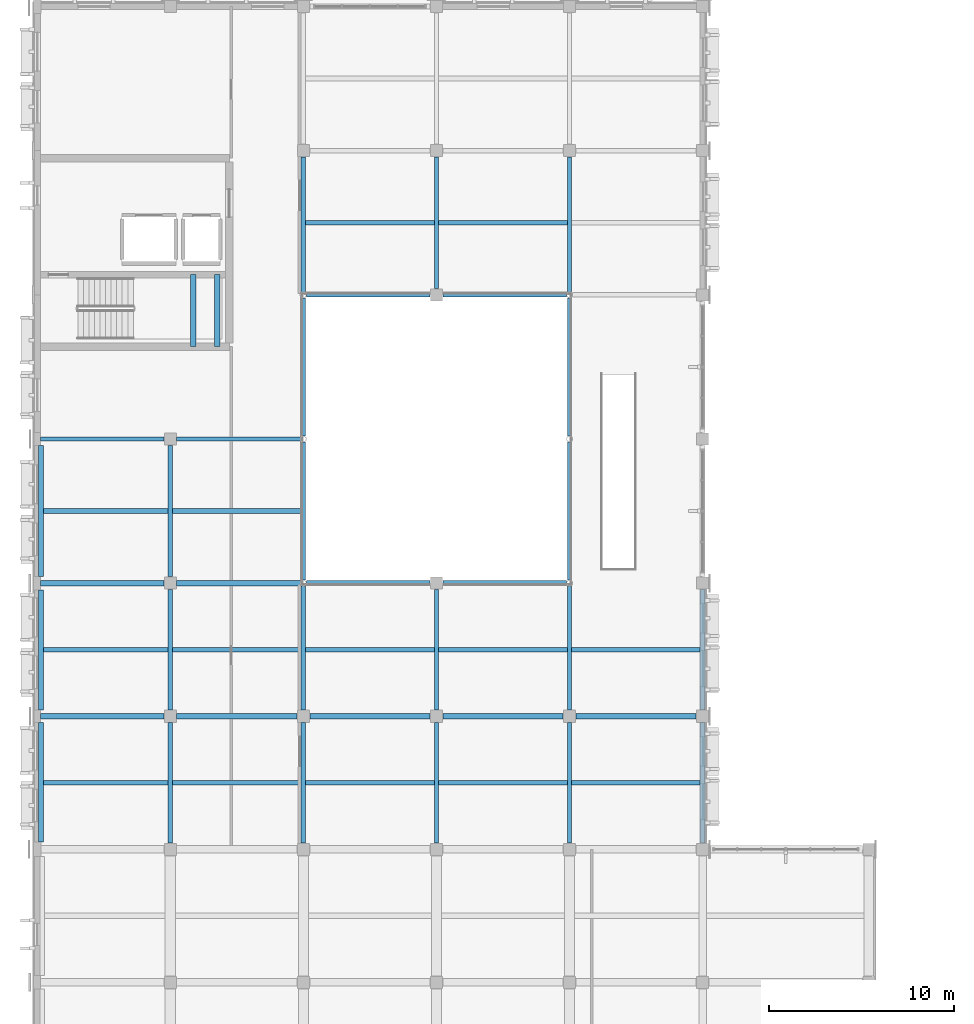
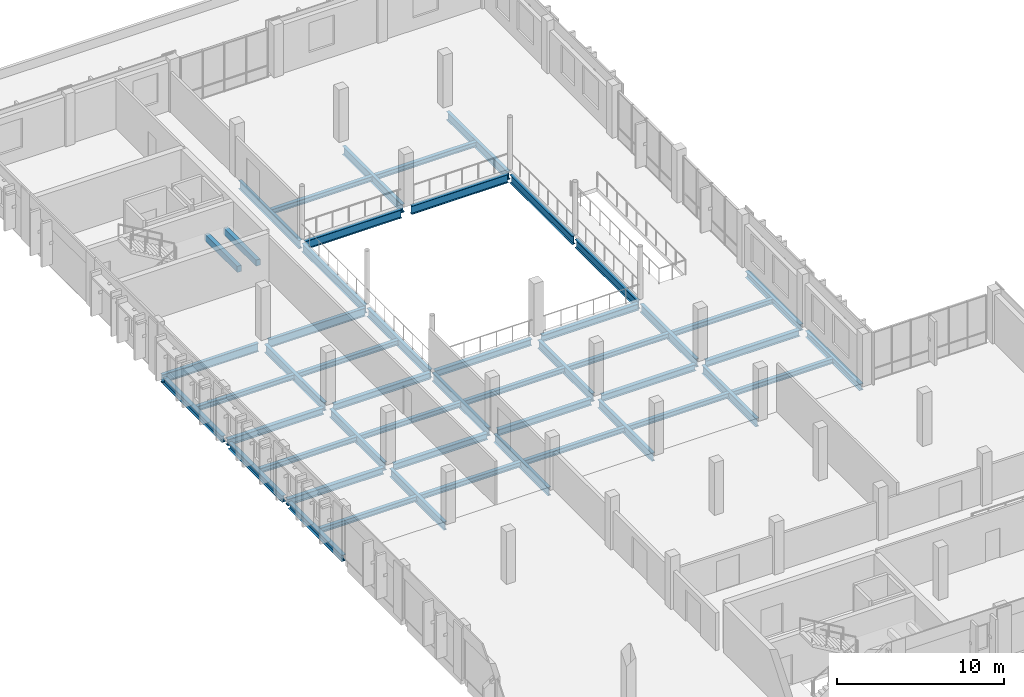
# One storey, part 16 of 85: 50 beams.
"""IFC4 building model written with IfcOpenShell, lengths in metres."""

from ifc_helpers import new_model, si_unit, direction, frame, origin, origin_2d, place, context, subcontext, project, spatial, rectangle, i_section, extrude, material, material_profile, profile_set, type_object, element, save


model = new_model("IFC4")

# Units and contexts
model_context = context("Model", 3, precision=1e-05, world=origin(), true_north=direction((0.0, 1.0)))
body_context = subcontext(model_context, "Body", "Model", "MODEL_VIEW")
ifc_project = project(units=[si_unit("LENGTHUNIT", "METRE"), si_unit("AREAUNIT", "SQUARE_METRE"), si_unit("VOLUMEUNIT", "CUBIC_METRE"), si_unit("PLANEANGLEUNIT", "RADIAN"), si_unit("MASSUNIT", "GRAM", prefix="KILO")], contexts=[model_context])

# Site, building, storey
site_placement = place(None, origin())
site = spatial("IfcSite", under=ifc_project, at=site_placement, CompositionType="ELEMENT")
building_placement = place(site_placement, origin())
building = spatial("IfcBuilding", under=site, at=building_placement, Name="Vervanel Yard Central Library", CompositionType="ELEMENT")
storey_placement = place(building_placement, frame((0.0, 0.0, 5.10009765625)))
storey = spatial("IfcBuildingStorey", under=building, at=storey_placement, Name="L01", CompositionType="ELEMENT", Elevation=5.10009765625)

# Beams
ifc_material_1 = material(Name="Concrete C40/50", Category="concrete")
ifc_material_profile_1 = material_profile(ifc_material_1, rectangle(XDim=0.300048828125, YDim=0.449951171875, at=origin_2d()), Name="RC 300x450", Category="concrete")
ifc_profile_set_1 = profile_set([ifc_material_profile_1], Name="Concrete C40/50")
beam_type_1 = type_object("IfcBeamType", Name="Concrete Opening Lintel 300x450", PredefinedType="LINTEL", material=ifc_profile_set_1)
for number, where, z_axis, x_axis, name in (
    (1, (8.449951171875, 56.0, 1.494873046875), (0.0, 1.0, 0.0), (-1.0, 0.0, 0.0), "L01 CORE-C Stair Landing Beam 23"),
    (2, (9.75, 56.0, 1.494873046875), (0.0, 1.0, 0.0), (-1.0, 0.0, 0.0), "L01 CORE-C Stair Landing Beam 24"),
):
    element("IfcBeam", number, at=place(storey_placement, frame(where, z_axis=z_axis, x_axis=x_axis)), inside=storey, type_object=beam_type_1, Name=name, PredefinedType="LINTEL", context=body_context, shape_type="SweptSolid", body=[
        extrude(rectangle(XDim=0.300048828125, YDim=0.449951171875, at=origin_2d()), origin(), (0.0, 0.0, 1.0), 3.89501953125),
    ])
ifc_material_2 = material(Name="Steel ASTM A992 Grade 50", Category="steel")
ifc_material_profile_2 = material_profile(ifc_material_2, i_section(OverallWidth=0.25390625, OverallDepth=0.355712890625, WebThickness=0.010498046875, FlangeThickness=0.018310546875, at=origin_2d()), Name="W14X68", Category="steel")
ifc_profile_set_2 = profile_set([ifc_material_profile_2], Name="Steel ASTM A992 Grade 50")
beam_type_2 = type_object("IfcBeamType", Name="Steel Atrium Edge Joist W14X68", PredefinedType="JOIST", material=ifc_profile_set_2)
for number, where, z_axis, x_axis, name in (
    (3, (0.341064453125, 32.39990234375, -0.462890625), (1.0, 0.0, 0.0), (0.0, 1.0, 0.0), "L01 Floor Joist SJ-06 Y=32.40 X=0.0-7.2"),
    (4, (0.341064453125, 39.60009765625, -0.462890625), (1.0, 0.0, 0.0), (0.0, 1.0, 0.0), "L01 Floor Joist SJ-06 Y=39.60 X=0.0-7.2"),
    (5, (0.341064453125, 47.10009765625, -0.462890625), (1.0, 0.0, 0.0), (0.0, 1.0, 0.0), "L01 Floor Joist SJ-06 Y=47.10 X=0.0-7.2"),
):
    element("IfcBeam", number, at=place(storey_placement, frame(where, z_axis=z_axis, x_axis=x_axis)), inside=storey, type_object=beam_type_2, Name=name, PredefinedType="JOIST", context=body_context, shape_type="SweptSolid", body=[
        extrude(i_section(OverallWidth=0.25390625, OverallDepth=0.355712890625, WebThickness=0.010498046875, FlangeThickness=0.018310546875, at=origin_2d()), origin(), (0.0, 0.0, 1.0), 6.744384765625),
    ])
for number, where, z_axis, x_axis, name in (
    (6, (7.314697265625, 32.39990234375, -0.462890625), (1.0, 0.0, 0.0), (0.0, 1.0, 0.0), "L01 Floor Joist SJ-06 Y=32.40 X=7.2-14.4"),
    (7, (7.314697265625, 39.60009765625, -0.462890625), (1.0, 0.0, 0.0), (0.0, 1.0, 0.0), "L01 Floor Joist SJ-06 Y=39.60 X=7.2-14.4"),
    (8, (7.314697265625, 47.10009765625, -0.462890625), (1.0, 0.0, 0.0), (0.0, 1.0, 0.0), "L01 Floor Joist SJ-06 Y=47.10 X=7.2-14.4"),
    (9, (14.5146484375, 32.39990234375, -0.462890625), (1.0, 0.0, 0.0), (0.0, 1.0, 0.0), "L01 Floor Joist SJ-06 Y=32.40 X=14.4-21.6"),
    (10, (14.5146484375, 39.60009765625, -0.462890625), (1.0, 0.0, 0.0), (0.0, 1.0, 0.0), "L01 Floor Joist SJ-06 Y=39.60 X=14.4-21.6"),
    (11, (14.5146484375, 62.699951171875, -0.462890625), (1.0, 0.0, 0.0), (0.0, 1.0, 0.0), "L01 Floor Joist SJ-06 Y=62.70 X=14.4-21.6"),
    (12, (21.714599609375, 32.39990234375, -0.462890625), (1.0, 0.0, 0.0), (0.0, 1.0, 0.0), "L01 Floor Joist SJ-06 Y=32.40 X=21.6-28.8"),
    (13, (21.714599609375, 39.60009765625, -0.462890625), (1.0, 0.0, 0.0), (0.0, 1.0, 0.0), "L01 Floor Joist SJ-06 Y=39.60 X=21.6-28.8"),
    (14, (21.714599609375, 62.699951171875, -0.462890625), (1.0, 0.0, 0.0), (0.0, 1.0, 0.0), "L01 Floor Joist SJ-06 Y=62.70 X=21.6-28.8"),
):
    element("IfcBeam", number, at=place(storey_placement, frame(where, z_axis=z_axis, x_axis=x_axis)), inside=storey, type_object=beam_type_2, Name=name, PredefinedType="JOIST", context=body_context, shape_type="SweptSolid", body=[
        extrude(i_section(OverallWidth=0.25390625, OverallDepth=0.355712890625, WebThickness=0.010498046875, FlangeThickness=0.018310546875, at=origin_2d()), origin(), (0.0, 0.0, 1.0), 6.970703125),
    ])
for number, where, z_axis, x_axis, name in (
    (15, (28.91455078125, 32.39990234375, -0.462890625), (1.0, 0.0, 0.0), (0.0, 1.0, 0.0), "L01 Floor Joist SJ-06 Y=32.40 X=28.8-36.0"),
    (16, (28.91455078125, 39.60009765625, -0.462890625), (1.0, 0.0, 0.0), (0.0, 1.0, 0.0), "L01 Floor Joist SJ-06 Y=39.60 X=28.8-36.0"),
):
    element("IfcBeam", number, at=place(storey_placement, frame(where, z_axis=z_axis, x_axis=x_axis)), inside=storey, type_object=beam_type_2, Name=name, PredefinedType="JOIST", context=body_context, shape_type="SweptSolid", body=[
        extrude(i_section(OverallWidth=0.25390625, OverallDepth=0.355712890625, WebThickness=0.010498046875, FlangeThickness=0.018310546875, at=origin_2d()), origin(), (0.0, 0.0, 1.0), 6.9443359375),
    ])
ifc_material_profile_3 = material_profile(ifc_material_2, i_section(OverallWidth=0.22900390625, OverallDepth=0.612060546875, WebThickness=0.011962890625, FlangeThickness=0.01953125, at=origin_2d()), Name="W24X84", Category="steel")
ifc_profile_set_3 = profile_set([ifc_material_profile_3], Name="Steel ASTM A992 Grade 50")
beam_type_3 = type_object("IfcBeamType", Name="Steel Primary Girder W24X84", PredefinedType="BEAM", material=ifc_profile_set_3)
beam_1_placement = place(storey_placement, frame((0.175048828125, 51.0, -0.591064453125), z_axis=(1.0, 0.0, 0.0), x_axis=(0.0, 1.0, 0.0)))
element("IfcBeam", 17, at=beam_1_placement, inside=storey, type_object=beam_type_3, Name="L01 Girder SB-01 Y=51.0 X=0.0-7.2", PredefinedType="BEAM", context=body_context, shape_type="SweptSolid", body=[
    extrude(i_section(OverallWidth=0.22900390625, OverallDepth=0.612060546875, WebThickness=0.011962890625, FlangeThickness=0.01953125, at=origin_2d()), origin(), (0.0, 0.0, 1.0), 6.675048828125),
])
for number, where, z_axis, x_axis, name in (
    (18, (7.550048828125, 51.0, -0.591064453125), (1.0, 0.0, 0.0), (0.0, 1.0, 0.0), "L01 Girder SB-01 Y=51.0 X=7.2-14.4"),
    (19, (14.56201171875, 58.800048828125, -0.591064453125), (1.0, 0.0, 0.0), (0.0, 1.0, 0.0), "L01 Girder SB-01 Y=58.8 X=14.4-21.6"),
):
    element("IfcBeam", number, at=place(storey_placement, frame(where, z_axis=z_axis, x_axis=x_axis)), inside=storey, type_object=beam_type_3, Name=name, PredefinedType="BEAM", context=body_context, shape_type="SweptSolid", body=[
        extrude(i_section(OverallWidth=0.22900390625, OverallDepth=0.612060546875, WebThickness=0.011962890625, FlangeThickness=0.01953125, at=origin_2d()), origin(), (0.0, 0.0, 1.0), 6.68798828125),
    ])
beam_2_placement = place(storey_placement, frame((21.949951171875, 58.800048828125, -0.591064453125), z_axis=(1.0, 0.0, 0.0), x_axis=(0.0, 1.0, 0.0)))
element("IfcBeam", 20, at=beam_2_placement, inside=storey, type_object=beam_type_3, Name="L01 Girder SB-01 Y=58.8 X=21.6-28.8", PredefinedType="BEAM", context=body_context, shape_type="SweptSolid", body=[
    extrude(i_section(OverallWidth=0.22900390625, OverallDepth=0.612060546875, WebThickness=0.011962890625, FlangeThickness=0.01953125, at=origin_2d()), origin(), (0.0, 0.0, 1.0), 6.688232421875),
])
for number, where, z_axis, x_axis, name in (
    (21, (7.199951171875, 29.14990234375, -0.591064453125), (0.0, 1.0, 0.0), (-1.0, 0.0, 0.0), "L01 Girder SB-01 X=7.2 Y=28.8-36.0"),
    (22, (7.199951171875, 36.35009765625, -0.591064453125), (0.0, 1.0, 0.0), (-1.0, 0.0, 0.0), "L01 Girder SB-01 X=7.2 Y=36.0-43.2"),
):
    element("IfcBeam", number, at=place(storey_placement, frame(where, z_axis=z_axis, x_axis=x_axis)), inside=storey, type_object=beam_type_3, Name=name, PredefinedType="BEAM", context=body_context, shape_type="SweptSolid", body=[
        extrude(i_section(OverallWidth=0.22900390625, OverallDepth=0.612060546875, WebThickness=0.011962890625, FlangeThickness=0.01953125, at=origin_2d()), origin(), (0.0, 0.0, 1.0), 6.5),
    ])
beam_3_placement = place(storey_placement, frame((7.199951171875, 43.550048828125, -0.591064453125), z_axis=(0.0, 1.0, 0.0), x_axis=(-1.0, 0.0, 0.0)))
element("IfcBeam", 23, at=beam_3_placement, inside=storey, type_object=beam_type_3, Name="L01 Girder SB-01 X=7.2 Y=43.2-51.0", PredefinedType="BEAM", context=body_context, shape_type="SweptSolid", body=[
    extrude(i_section(OverallWidth=0.22900390625, OverallDepth=0.612060546875, WebThickness=0.011962890625, FlangeThickness=0.01953125, at=origin_2d()), origin(), (0.0, 0.0, 1.0), 7.099853515625),
])
beam_4_placement = place(storey_placement, frame((14.39990234375, 29.14990234375, -0.591064453125), z_axis=(0.0, 1.0, 0.0), x_axis=(-1.0, 0.0, 0.0)))
element("IfcBeam", 24, at=beam_4_placement, inside=storey, type_object=beam_type_3, Name="L01 Girder SB-01 X=14.4 Y=28.8-36.0", PredefinedType="BEAM", context=body_context, shape_type="SweptSolid", body=[
    extrude(i_section(OverallWidth=0.22900390625, OverallDepth=0.612060546875, WebThickness=0.011962890625, FlangeThickness=0.01953125, at=origin_2d()), origin(), (0.0, 0.0, 1.0), 6.5),
])
beam_5_placement = place(storey_placement, frame((14.39990234375, 36.35009765625, -0.591064453125), z_axis=(0.0, 1.0, 0.0), x_axis=(-1.0, 0.0, 0.0)))
element("IfcBeam", 25, at=beam_5_placement, inside=storey, type_object=beam_type_3, Name="L01 Girder SB-01 X=14.4 Y=36.0-43.2", PredefinedType="BEAM", context=body_context, shape_type="SweptSolid", body=[
    extrude(i_section(OverallWidth=0.22900390625, OverallDepth=0.612060546875, WebThickness=0.011962890625, FlangeThickness=0.01953125, at=origin_2d()), origin(), (0.0, 0.0, 1.0), 6.68798828125),
])
for number, where, z_axis, x_axis, name in (
    (26, (14.39990234375, 43.36181640625, -0.591064453125), (0.0, 1.0, 0.0), (-1.0, 0.0, 0.0), "L01 Girder SB-01 X=14.4 Y=43.2-51.0"),
    (27, (14.39990234375, 51.161865234375, -0.591064453125), (0.0, 1.0, 0.0), (-1.0, 0.0, 0.0), "L01 Girder SB-01 X=14.4 Y=51.0-58.8"),
):
    element("IfcBeam", number, at=place(storey_placement, frame(where, z_axis=z_axis, x_axis=x_axis)), inside=storey, type_object=beam_type_3, Name=name, PredefinedType="BEAM", context=body_context, shape_type="SweptSolid", body=[
        extrude(i_section(OverallWidth=0.22900390625, OverallDepth=0.612060546875, WebThickness=0.011962890625, FlangeThickness=0.01953125, at=origin_2d()), origin(), (0.0, 0.0, 1.0), 7.476318359375),
    ])
beam_6_placement = place(storey_placement, frame((14.39990234375, 58.9619140625, -0.591064453125), z_axis=(0.0, 1.0, 0.0), x_axis=(-1.0, 0.0, 0.0)))
element("IfcBeam", 28, at=beam_6_placement, inside=storey, type_object=beam_type_3, Name="L01 Girder SB-01 X=14.4 Y=58.8-66.6", PredefinedType="BEAM", context=body_context, shape_type="SweptSolid", body=[
    extrude(i_section(OverallWidth=0.22900390625, OverallDepth=0.612060546875, WebThickness=0.011962890625, FlangeThickness=0.01953125, at=origin_2d()), origin(), (0.0, 0.0, 1.0), 7.2880859375),
])
for number, where, z_axis, x_axis, name in (
    (29, (21.60009765625, 29.14990234375, -0.591064453125), (0.0, 1.0, 0.0), (-1.0, 0.0, 0.0), "L01 Girder SB-01 X=21.6 Y=28.8-36.0"),
    (30, (21.60009765625, 36.35009765625, -0.591064453125), (0.0, 1.0, 0.0), (-1.0, 0.0, 0.0), "L01 Girder SB-01 X=21.6 Y=36.0-43.2"),
):
    element("IfcBeam", number, at=place(storey_placement, frame(where, z_axis=z_axis, x_axis=x_axis)), inside=storey, type_object=beam_type_3, Name=name, PredefinedType="BEAM", context=body_context, shape_type="SweptSolid", body=[
        extrude(i_section(OverallWidth=0.22900390625, OverallDepth=0.612060546875, WebThickness=0.011962890625, FlangeThickness=0.01953125, at=origin_2d()), origin(), (0.0, 0.0, 1.0), 6.5),
    ])
beam_7_placement = place(storey_placement, frame((21.60009765625, 59.14990234375, -0.591064453125), z_axis=(0.0, 1.0, 0.0), x_axis=(-1.0, 0.0, 0.0)))
element("IfcBeam", 31, at=beam_7_placement, inside=storey, type_object=beam_type_3, Name="L01 Girder SB-01 X=21.6 Y=58.8-66.6", PredefinedType="BEAM", context=body_context, shape_type="SweptSolid", body=[
    extrude(i_section(OverallWidth=0.22900390625, OverallDepth=0.612060546875, WebThickness=0.011962890625, FlangeThickness=0.01953125, at=origin_2d()), origin(), (0.0, 0.0, 1.0), 7.10009765625),
])
beam_8_placement = place(storey_placement, frame((28.800048828125, 29.14990234375, -0.591064453125), z_axis=(0.0, 1.0, 0.0), x_axis=(-1.0, 0.0, 0.0)))
element("IfcBeam", 32, at=beam_8_placement, inside=storey, type_object=beam_type_3, Name="L01 Girder SB-01 X=28.8 Y=28.8-36.0", PredefinedType="BEAM", context=body_context, shape_type="SweptSolid", body=[
    extrude(i_section(OverallWidth=0.22900390625, OverallDepth=0.612060546875, WebThickness=0.011962890625, FlangeThickness=0.01953125, at=origin_2d()), origin(), (0.0, 0.0, 1.0), 6.5),
])
beam_9_placement = place(storey_placement, frame((28.800048828125, 36.35009765625, -0.591064453125), z_axis=(0.0, 1.0, 0.0), x_axis=(-1.0, 0.0, 0.0)))
element("IfcBeam", 33, at=beam_9_placement, inside=storey, type_object=beam_type_3, Name="L01 Girder SB-01 X=28.8 Y=36.0-43.2", PredefinedType="BEAM", context=body_context, shape_type="SweptSolid", body=[
    extrude(i_section(OverallWidth=0.22900390625, OverallDepth=0.612060546875, WebThickness=0.011962890625, FlangeThickness=0.01953125, at=origin_2d()), origin(), (0.0, 0.0, 1.0), 6.68798828125),
])
for number, where, z_axis, x_axis, name in (
    (34, (28.800048828125, 43.36181640625, -0.591064453125), (0.0, 1.0, 0.0), (-1.0, 0.0, 0.0), "L01 Girder SB-01 X=28.8 Y=43.2-51.0"),
    (35, (28.800048828125, 51.161865234375, -0.591064453125), (0.0, 1.0, 0.0), (-1.0, 0.0, 0.0), "L01 Girder SB-01 X=28.8 Y=51.0-58.8"),
):
    element("IfcBeam", number, at=place(storey_placement, frame(where, z_axis=z_axis, x_axis=x_axis)), inside=storey, type_object=beam_type_3, Name=name, PredefinedType="BEAM", context=body_context, shape_type="SweptSolid", body=[
        extrude(i_section(OverallWidth=0.22900390625, OverallDepth=0.612060546875, WebThickness=0.011962890625, FlangeThickness=0.01953125, at=origin_2d()), origin(), (0.0, 0.0, 1.0), 7.476318359375),
    ])
beam_10_placement = place(storey_placement, frame((28.800048828125, 58.9619140625, -0.591064453125), z_axis=(0.0, 1.0, 0.0), x_axis=(-1.0, 0.0, 0.0)))
element("IfcBeam", 36, at=beam_10_placement, inside=storey, type_object=beam_type_3, Name="L01 Girder SB-01 X=28.8 Y=58.8-66.6", PredefinedType="BEAM", context=body_context, shape_type="SweptSolid", body=[
    extrude(i_section(OverallWidth=0.22900390625, OverallDepth=0.612060546875, WebThickness=0.011962890625, FlangeThickness=0.01953125, at=origin_2d()), origin(), (0.0, 0.0, 1.0), 7.2880859375),
])
ifc_material_profile_4 = material_profile(ifc_material_2, i_section(OverallWidth=0.281982421875, OverallDepth=0.46728515625, WebThickness=0.01220703125, FlangeThickness=0.01953125, at=origin_2d()), Name="W18X86", Category="steel")
ifc_profile_set_4 = profile_set([ifc_material_profile_4], Name="Steel ASTM A992 Grade 50")
beam_type_4 = type_object("IfcBeamType", Name="Steel Spandrel Beam W18X86", PredefinedType="SPANDREL", material=ifc_profile_set_4)
beam_11_placement = place(storey_placement, frame((0.175048828125, 36.0, -0.518798828125), z_axis=(1.0, 0.0, 0.0), x_axis=(0.0, 1.0, 0.0)))
element("IfcBeam", 37, at=beam_11_placement, inside=storey, type_object=beam_type_4, Name="L01 Girder SP-02 Y=36.0 X=0.0-7.2", PredefinedType="SPANDREL", context=body_context, shape_type="SweptSolid", body=[
    extrude(i_section(OverallWidth=0.281982421875, OverallDepth=0.46728515625, WebThickness=0.01220703125, FlangeThickness=0.01953125, at=origin_2d()), origin(), (0.0, 0.0, 1.0), 6.675048828125),
])
for number, where, z_axis, x_axis, name in (
    (38, (7.550048828125, 36.0, -0.518798828125), (1.0, 0.0, 0.0), (0.0, 1.0, 0.0), "L01 Girder SP-02 Y=36.0 X=7.2-14.4"),
    (39, (14.75, 36.0, -0.518798828125), (1.0, 0.0, 0.0), (0.0, 1.0, 0.0), "L01 Girder SP-02 Y=36.0 X=14.4-21.6"),
    (40, (21.949951171875, 36.0, -0.518798828125), (1.0, 0.0, 0.0), (0.0, 1.0, 0.0), "L01 Girder SP-02 Y=36.0 X=21.6-28.8"),
    (41, (29.14990234375, 36.0, -0.518798828125), (1.0, 0.0, 0.0), (0.0, 1.0, 0.0), "L01 Girder SP-02 Y=36.0 X=28.8-36.0"),
):
    element("IfcBeam", number, at=place(storey_placement, frame(where, z_axis=z_axis, x_axis=x_axis)), inside=storey, type_object=beam_type_4, Name=name, PredefinedType="SPANDREL", context=body_context, shape_type="SweptSolid", body=[
        extrude(i_section(OverallWidth=0.281982421875, OverallDepth=0.46728515625, WebThickness=0.01220703125, FlangeThickness=0.01953125, at=origin_2d()), origin(), (0.0, 0.0, 1.0), 6.5),
    ])
beam_12_placement = place(storey_placement, frame((0.18994140625, 43.199951171875, -0.518798828125), z_axis=(1.0, 0.0, 0.0), x_axis=(0.0, 1.0, 0.0)))
element("IfcBeam", 42, at=beam_12_placement, inside=storey, type_object=beam_type_4, Name="L01 Girder SP-02 Y=43.2 X=0.0-7.2", PredefinedType="SPANDREL", context=body_context, shape_type="SweptSolid", body=[
    extrude(i_section(OverallWidth=0.281982421875, OverallDepth=0.46728515625, WebThickness=0.01220703125, FlangeThickness=0.01953125, at=origin_2d()), origin(), (0.0, 0.0, 1.0), 6.66015625),
])
for number, where, z_axis, x_axis, name in (
    (43, (7.550048828125, 43.199951171875, -0.518798828125), (1.0, 0.0, 0.0), (0.0, 1.0, 0.0), "L01 Girder SP-02 Y=43.2 X=7.2-14.4"),
    (44, (14.56201171875, 43.199951171875, -0.518798828125), (1.0, 0.0, 0.0), (0.0, 1.0, 0.0), "L01 Girder SP-02 Y=43.2 X=14.4-21.6"),
):
    element("IfcBeam", number, at=place(storey_placement, frame(where, z_axis=z_axis, x_axis=x_axis)), inside=storey, type_object=beam_type_4, Name=name, PredefinedType="SPANDREL", context=body_context, shape_type="SweptSolid", body=[
        extrude(i_section(OverallWidth=0.281982421875, OverallDepth=0.46728515625, WebThickness=0.01220703125, FlangeThickness=0.01953125, at=origin_2d()), origin(), (0.0, 0.0, 1.0), 6.68798828125),
    ])
beam_13_placement = place(storey_placement, frame((21.949951171875, 43.199951171875, -0.518798828125), z_axis=(1.0, 0.0, 0.0), x_axis=(0.0, 1.0, 0.0)))
element("IfcBeam", 45, at=beam_13_placement, inside=storey, type_object=beam_type_4, Name="L01 Girder SP-02 Y=43.2 X=21.6-28.8", PredefinedType="SPANDREL", context=body_context, shape_type="SweptSolid", body=[
    extrude(i_section(OverallWidth=0.281982421875, OverallDepth=0.46728515625, WebThickness=0.01220703125, FlangeThickness=0.01953125, at=origin_2d()), origin(), (0.0, 0.0, 1.0), 6.688232421875),
])
beam_14_placement = place(storey_placement, frame((0.199951171875, 29.18994140625, -0.518798828125), z_axis=(0.0, 1.0, 0.0), x_axis=(-1.0, 0.0, 0.0)))
element("IfcBeam", 46, at=beam_14_placement, inside=storey, type_object=beam_type_4, Name="L01 Girder SP-02 X=0.0 Y=28.8-36.0", PredefinedType="SPANDREL", context=body_context, shape_type="SweptSolid", body=[
    extrude(i_section(OverallWidth=0.281982421875, OverallDepth=0.46728515625, WebThickness=0.01220703125, FlangeThickness=0.01953125, at=origin_2d()), origin(), (0.0, 0.0, 1.0), 6.4599609375),
])
beam_15_placement = place(storey_placement, frame((0.199951171875, 36.35009765625, -0.518798828125), z_axis=(0.0, 1.0, 0.0), x_axis=(-1.0, 0.0, 0.0)))
element("IfcBeam", 47, at=beam_15_placement, inside=storey, type_object=beam_type_4, Name="L01 Girder SP-02 X=0.0 Y=36.0-43.2", PredefinedType="SPANDREL", context=body_context, shape_type="SweptSolid", body=[
    extrude(i_section(OverallWidth=0.281982421875, OverallDepth=0.46728515625, WebThickness=0.01220703125, FlangeThickness=0.01953125, at=origin_2d()), origin(), (0.0, 0.0, 1.0), 6.489990234375),
])
beam_16_placement = place(storey_placement, frame((0.199951171875, 43.56005859375, -0.518798828125), z_axis=(0.0, 1.0, 0.0), x_axis=(-1.0, 0.0, 0.0)))
element("IfcBeam", 48, at=beam_16_placement, inside=storey, type_object=beam_type_4, Name="L01 Girder SP-02 X=0.0 Y=43.2-51.0", PredefinedType="SPANDREL", context=body_context, shape_type="SweptSolid", body=[
    extrude(i_section(OverallWidth=0.281982421875, OverallDepth=0.46728515625, WebThickness=0.01220703125, FlangeThickness=0.01953125, at=origin_2d()), origin(), (0.0, 0.0, 1.0), 7.08984375),
])
for number, where, z_axis, x_axis, name in (
    (49, (36.0, 29.14990234375, -0.518798828125), (0.0, 1.0, 0.0), (-1.0, 0.0, 0.0), "L01 Girder SP-02 X=36.0 Y=28.8-36.0"),
    (50, (36.0, 36.35009765625, -0.518798828125), (0.0, 1.0, 0.0), (-1.0, 0.0, 0.0), "L01 Girder SP-02 X=36.0 Y=36.0-43.2"),
):
    element("IfcBeam", number, at=place(storey_placement, frame(where, z_axis=z_axis, x_axis=x_axis)), inside=storey, type_object=beam_type_4, Name=name, PredefinedType="SPANDREL", context=body_context, shape_type="SweptSolid", body=[
        extrude(i_section(OverallWidth=0.281982421875, OverallDepth=0.46728515625, WebThickness=0.01220703125, FlangeThickness=0.01953125, at=origin_2d()), origin(), (0.0, 0.0, 1.0), 6.5),
    ])

save(model, "model.ifc")
